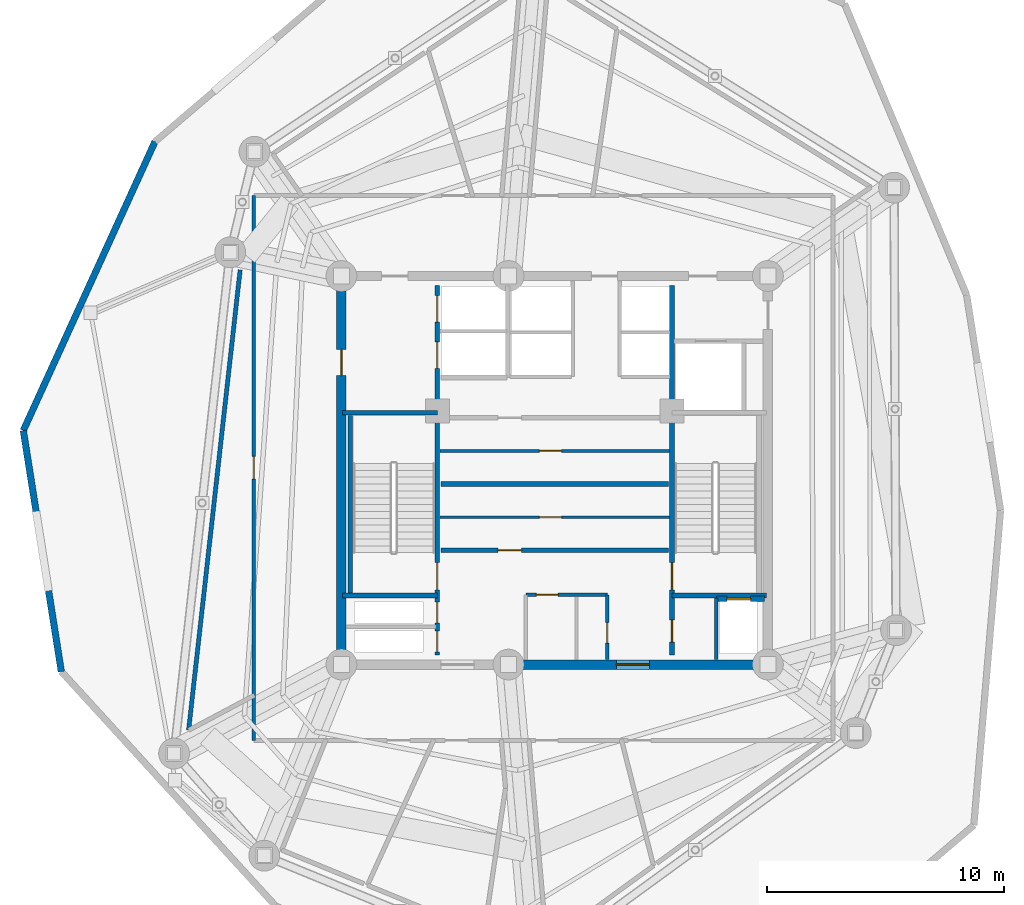
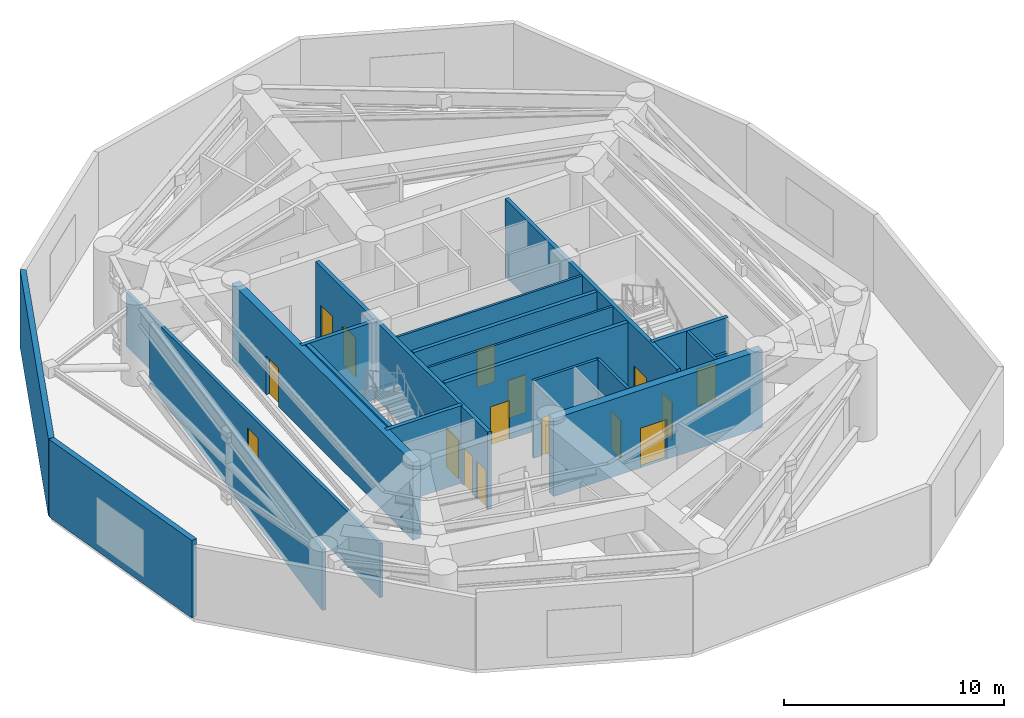
# One storey, part 6 of 11: 20 walls, 16 doors, 16 openings.
"""IFC4 building model written with IfcOpenShell, lengths in metres."""

from ifc_helpers import new_model, si_unit, direction, frame, frame_2d, origin, origin_with_axes, place, context, subcontext, project, spatial, rectangle, extrude, source, transform, mapped, material, layer, layer_set, type_object, element, fill, save


model = new_model("IFC4")

# Units and contexts
model_context = context("Model", 3, precision=1e-05, world=origin(), true_north=direction((0.0, 1.0)))
body_context = subcontext(model_context, "Body", "Model", "MODEL_VIEW")
ifc_project = project(units=[si_unit("LENGTHUNIT", "METRE"), si_unit("AREAUNIT", "SQUARE_METRE"), si_unit("VOLUMEUNIT", "CUBIC_METRE"), si_unit("PLANEANGLEUNIT", "RADIAN"), si_unit("MASSUNIT", "GRAM", prefix="KILO")], contexts=[model_context])

# Site, building, storey
site_placement = place(None, origin())
site = spatial("IfcSite", under=ifc_project, at=site_placement, CompositionType="ELEMENT")
building_placement = place(site_placement, origin())
building = spatial("IfcBuilding", under=site, at=building_placement, Name="Karkom Vertical University and Central Library", CompositionType="ELEMENT")
storey_placement = place(building_placement, frame((0.0, 0.0, 208.39990234375)))
storey = spatial("IfcBuildingStorey", under=building, at=storey_placement, Name="P61", CompositionType="ELEMENT", Elevation=208.39990234375)

# Walls
ifc_material_1 = material(Name="Brick-faced precast concrete C45/55", Category="masonry")
ifc_layer_1 = layer(ifc_material_1, 0.280029296875)
ifc_layer_set_1 = layer_set([ifc_layer_1], Name="Brick-faced precast concrete C45/55")
wall_type_1 = type_object("IfcWallType", Name="ENV-WL-BRK-280", PredefinedType="SOLIDWALL", material=ifc_layer_set_1)
wall_1_placement = place(storey_placement, frame((6.0712890625, 28.180419921875, 0.0), z_axis=(0.0, 0.0, 1.0), x_axis=(0.1557569856, -0.987795404645, 0.0)))
element("IfcWall", 1, at=wall_1_placement, inside=storey, type_object=wall_type_1, Name="Plant Level 61 Brick-Faced Precast Facade Wall 01", PredefinedType="SOLIDWALL", context=body_context, shape_type="SweptSolid", body=[
    extrude(rectangle(XDim=10.305908203125, YDim=0.280029296875, at=frame_2d((5.15283203125, 0.0))), origin(), (0.0, 0.0, 1.0), 4.300048828125),
])
wall_2_placement = place(storey_placement, frame((11.632080078125, 40.37890625, 0.0), z_axis=(0.0, 0.0, 1.0), x_axis=(-0.41479333112, -0.909915651288, 0.0)))
element("IfcWall", 2, at=wall_2_placement, inside=storey, type_object=wall_type_1, Name="Plant Level 61 Brick-Faced Precast Facade Wall 12", PredefinedType="SOLIDWALL", context=body_context, shape_type="SweptSolid", body=[
    extrude(rectangle(XDim=13.40625, YDim=0.280029296875, at=frame_2d((6.703125, 0.0))), origin(), (0.0, 0.0, 1.0), 4.300048828125),
])

# Wall, opening, door
ifc_material_2 = material(Name="Insulated metal-stud drywall 160mm", Category="gypsum")
ifc_layer_2 = layer(ifc_material_2, 0.159912109375)
ifc_layer_set_2 = layer_set([ifc_layer_2], Name="Insulated metal-stud drywall 160mm")
wall_type_2 = type_object("IfcWallType", Name="INT-WL-COR-160F", PredefinedType="PARTITIONING", material=ifc_layer_set_2)
wall_3_placement = place(storey_placement, frame((15.800048828125, 15.10009765625, 0.0), z_axis=(0.0, 0.0, 1.0), x_axis=(0.0, 1.0, 0.0)))
wall_3 = element("IfcWall", 3, at=wall_3_placement, inside=storey, type_object=wall_type_2, Name="Plant Level 61 Interior Partition Wall P61-PCORW-CW-002", PredefinedType="PARTITIONING", context=body_context, shape_type="SweptSolid", body=[
    extrude(rectangle(XDim=23.0, YDim=0.159912109375, at=frame_2d((11.5, 0.0))), origin(), (0.0, 0.0, 1.0), 3.0),
])
opening_1_placement = place(wall_3_placement, frame((11.02490234375, 0.0, 0.0)))
opening_1 = element("IfcOpeningElement", 4, at=opening_1_placement, cuts=wall_3, Name="Opening FD-RM1", PredefinedType="OPENING", context=body_context, shape_type="SweptSolid", body=[
    extrude(rectangle(XDim=0.9599609375, YDim=2.14990234375, at=frame_2d((0.47998046875, 1.074951171875))), frame((0.0, 0.08984375, 0.0), z_axis=(0.0, -1.0, 0.0), x_axis=(1.0, 0.0, 0.0)), (0.0, 0.0, 1.0), 0.179931640625),
])
ifc_material_3 = material(Name="Fire-rated oak veneer door", Category="wood")
door_type_1 = type_object("IfcDoorType", Name="INT-DR-FRM1", OperationType="NOTDEFINED", PredefinedType="DOOR", material=ifc_material_3)
shared_shape_1 = source(origin_with_axes(), body_context, "Body", "SweptSolid", [
    extrude(rectangle(XDim=0.9599609375, YDim=2.14990234375, at=frame_2d((0.47998046875, 1.074951171875))), frame((0.0, 0.02490234375, 0.0), z_axis=(0.0, -1.0, 0.0), x_axis=(1.0, 0.0, 0.0)), (0.0, 0.0, 1.0), 0.050048828125),
])
door_1_placement = place(opening_1_placement, origin())
door_1 = element("IfcDoor", 5, at=door_1_placement, inside=storey, type_object=door_type_1, Name="Plant Level 61 Room Entry Door 700", OperationType="SINGLE_SWING_LEFT", OverallHeight=2.14990234375, OverallWidth=0.9599609375, PredefinedType="DOOR", context=body_context, shape_type="MappedRepresentation", body=[
    mapped(shared_shape_1, transform((0.0, 0.0, 0.0), scale=1.0)),
])
fill(opening_1, door_1)

ifc_material_4 = material(Name="Moisture-resistant drywall 120mm", Category="gypsum")
ifc_layer_3 = layer(ifc_material_4, 0.1201171875)
ifc_layer_set_3 = layer_set([ifc_layer_3], Name="Moisture-resistant drywall 120mm")
wall_type_3 = type_object("IfcWallType", Name="INT-WL-INT-120F", PredefinedType="PARTITIONING", material=ifc_layer_set_3)
wall_4_placement = place(storey_placement, frame((23.652099609375, 24.52001953125, 0.0), z_axis=(0.0, 0.0, 1.0), x_axis=(1.0, 0.0, 0.0)))
wall_4 = element("IfcWall", 6, at=wall_4_placement, inside=storey, type_object=wall_type_3, Name="Plant Level 61 Interior Partition Wall P61-CW-B1-K3H", PredefinedType="PARTITIONING", context=body_context, shape_type="SweptSolid", body=[
    extrude(rectangle(XDim=9.697509765625, YDim=0.1201171875, at=frame_2d((4.8486328125, 0.0))), origin(), (0.0, 0.0, 1.0), 4.300048828125),
])
opening_2_placement = place(wall_4_placement, frame((4.199951171875, 0.0, 0.0)))
opening_2 = element("IfcOpeningElement", 7, at=opening_2_placement, cuts=wall_4, Name="Opening D-WC1", PredefinedType="OPENING", context=body_context, shape_type="SweptSolid", body=[
    extrude(rectangle(XDim=0.93994140625, YDim=2.10009765625, at=frame_2d((0.469970703125, 1.050048828125))), frame((0.0, 0.070068359375, 0.0), z_axis=(0.0, -1.0, 0.0), x_axis=(1.0, 0.0, 0.0)), (0.0, 0.0, 1.0), 0.14013671875),
])
ifc_material_5 = material(Name="Fire-rated laminate moisture-resistant door", Category="wood")
door_type_2 = type_object("IfcDoorType", Name="INT-DR-WC1", OperationType="NOTDEFINED", PredefinedType="DOOR", material=ifc_material_5)
shared_shape_2 = source(origin_with_axes(), body_context, "Body", "SweptSolid", [
    extrude(rectangle(XDim=0.93994140625, YDim=2.10009765625, at=frame_2d((0.469970703125, 1.050048828125))), frame((0.0, 0.02490234375, 0.0), z_axis=(0.0, -1.0, 0.0), x_axis=(1.0, 0.0, 0.0)), (0.0, 0.0, 1.0), 0.050048828125),
])
door_2_placement = place(opening_2_placement, origin())
door_2 = element("IfcDoor", 8, at=door_2_placement, inside=storey, type_object=door_type_2, Name="Plant Level 61 B1 Core WC Strip Door", OperationType="SINGLE_SWING_LEFT", OverallHeight=2.10009765625, OverallWidth=0.93994140625, PredefinedType="DOOR", context=body_context, shape_type="MappedRepresentation", body=[
    mapped(shared_shape_2, transform((0.0, 0.0, 0.0), scale=1.0)),
])
fill(opening_2, door_2)

wall_5_placement = place(storey_placement, frame((23.652099609375, 27.320068359375, 0.0), z_axis=(0.0, 0.0, 1.0), x_axis=(1.0, 0.0, 0.0)))
wall_5 = element("IfcWall", 9, at=wall_5_placement, inside=storey, type_object=wall_type_3, Name="Plant Level 61 Interior Partition Wall P61-CW-B2-K3H", PredefinedType="PARTITIONING", context=body_context, shape_type="SweptSolid", body=[
    extrude(rectangle(XDim=9.697509765625, YDim=0.1201171875, at=frame_2d((4.8486328125, 0.0))), origin(), (0.0, 0.0, 1.0), 4.300048828125),
])
opening_3_placement = place(wall_5_placement, frame((4.199951171875, 0.0, 0.0)))
opening_3 = element("IfcOpeningElement", 10, at=opening_3_placement, cuts=wall_5, Name="Opening D-WC1", PredefinedType="OPENING", context=body_context, shape_type="SweptSolid", body=[
    extrude(rectangle(XDim=0.93994140625, YDim=2.10009765625, at=frame_2d((0.469970703125, 1.050048828125))), frame((0.0, 0.070068359375, 0.0), z_axis=(0.0, -1.0, 0.0), x_axis=(1.0, 0.0, 0.0)), (0.0, 0.0, 1.0), 0.14013671875),
])
door_3_placement = place(opening_3_placement, origin())
door_3 = element("IfcDoor", 11, at=door_3_placement, inside=storey, type_object=door_type_2, Name="Plant Level 61 B2 Core WC Strip Door", OperationType="SINGLE_SWING_LEFT", OverallHeight=2.10009765625, OverallWidth=0.93994140625, PredefinedType="DOOR", context=body_context, shape_type="MappedRepresentation", body=[
    mapped(shared_shape_2, transform((0.0, 0.0, 0.0), scale=1.0)),
])
fill(opening_3, door_3)

ifc_material_6 = material(Name="Metal-stud gypsum partition 140mm", Category="gypsum")
ifc_layer_4 = layer(ifc_material_6, 0.139892578125)
ifc_layer_set_4 = layer_set([ifc_layer_4], Name="Metal-stud gypsum partition 140mm")
wall_type_4 = type_object("IfcWallType", Name="INT-WL-SUB-140", PredefinedType="PARTITIONING", material=ifc_layer_set_4)
wall_6_placement = place(storey_placement, frame((27.280029296875, 21.239990234375, 0.0), z_axis=(0.0, 0.0, 1.0), x_axis=(1.0, 0.0, 0.0)))
wall_6 = element("IfcWall", 12, at=wall_6_placement, inside=storey, type_object=wall_type_4, Name="Plant Level 61 Interior Partition Wall P61-CW-KBAY-N", PredefinedType="PARTITIONING", context=body_context, shape_type="SweptSolid", body=[
    extrude(rectangle(XDim=3.43994140625, YDim=0.139892578125, at=frame_2d((1.719970703125, 0.0))), origin(), (0.0, 0.0, 1.0), 4.300048828125),
])
opening_4_placement = place(wall_6_placement, frame((0.449951171875, 0.0, 0.0)))
opening_4 = element("IfcOpeningElement", 13, at=opening_4_placement, cuts=wall_6, Name="Opening D-SVC1", PredefinedType="OPENING", context=body_context, shape_type="SweptSolid", body=[
    extrude(rectangle(XDim=0.919921875, YDim=2.10009765625, at=frame_2d((0.4599609375, 1.050048828125))), frame((0.0, 0.080078125, 0.0), z_axis=(0.0, -1.0, 0.0), x_axis=(1.0, 0.0, 0.0)), (0.0, 0.0, 1.0), 0.159912109375),
])
ifc_material_7 = material(Name="Painted timber service door", Category="wood")
door_type_3 = type_object("IfcDoorType", Name="INT-DR-SVC1", OperationType="NOTDEFINED", PredefinedType="DOOR", material=ifc_material_7)
shared_shape_3 = source(origin_with_axes(), body_context, "Body", "SweptSolid", [
    extrude(rectangle(XDim=0.919921875, YDim=2.10009765625, at=frame_2d((0.4599609375, 1.050048828125))), frame((0.0, 0.02490234375, 0.0), z_axis=(0.0, -1.0, 0.0), x_axis=(1.0, 0.0, 0.0)), (0.0, 0.0, 1.0), 0.050048828125),
])
door_4_placement = place(opening_4_placement, origin())
door_4 = element("IfcDoor", 14, at=door_4_placement, inside=storey, type_object=door_type_3, Name="Plant Level 61 Copy Room Door", OperationType="SINGLE_SWING_RIGHT", OverallHeight=2.10009765625, OverallWidth=0.919921875, PredefinedType="DOOR", context=body_context, shape_type="MappedRepresentation", body=[
    mapped(shared_shape_3, transform((0.0, 0.0, 0.0), scale=1.0)),
])
fill(opening_4, door_4)

wall_7_placement = place(storey_placement, frame((30.719970703125, 18.507080078125, 0.0), z_axis=(0.0, 0.0, 1.0), x_axis=(0.0, 1.0, 0.0)))
wall_7 = element("IfcWall", 15, at=wall_7_placement, inside=storey, type_object=wall_type_4, Name="Plant Level 61 Interior Partition Wall P61-CW-KBAY-E", PredefinedType="PARTITIONING", context=body_context, shape_type="SweptSolid", body=[
    extrude(rectangle(XDim=2.73291015625, YDim=0.139892578125, at=frame_2d((1.366455078125, 0.0))), origin(), (0.0, 0.0, 1.0), 4.300048828125),
])
opening_5_placement = place(wall_7_placement, frame((0.699951171875, 0.0, 0.0)))
opening_5 = element("IfcOpeningElement", 16, at=opening_5_placement, cuts=wall_7, Name="Opening D-BATH", PredefinedType="OPENING", context=body_context, shape_type="SweptSolid", body=[
    extrude(rectangle(XDim=0.860107421875, YDim=2.10009765625, at=frame_2d((0.43017578125, 1.050048828125))), frame((0.0, 0.080078125, 0.0), z_axis=(0.0, -1.0, 0.0), x_axis=(1.0, 0.0, 0.0)), (0.0, 0.0, 1.0), 0.159912109375),
])
ifc_material_8 = material(Name="Moisture-resistant oak door", Category="wood")
door_type_4 = type_object("IfcDoorType", Name="INT-DR-BATH", OperationType="NOTDEFINED", PredefinedType="DOOR", material=ifc_material_8)
shared_shape_4 = source(origin_with_axes(), body_context, "Body", "SweptSolid", [
    extrude(rectangle(XDim=0.860107421875, YDim=2.10009765625, at=frame_2d((0.43017578125, 1.050048828125))), frame((0.0, 0.02490234375, 0.0), z_axis=(0.0, -1.0, 0.0), x_axis=(1.0, 0.0, 0.0)), (0.0, 0.0, 1.0), 0.050048828125),
])
door_5_placement = place(opening_5_placement, origin())
door_5 = element("IfcDoor", 17, at=door_5_placement, inside=storey, type_object=door_type_4, Name="Plant Level 61 Janitor Door", OperationType="SINGLE_SWING_LEFT", OverallHeight=2.10009765625, OverallWidth=0.860107421875, PredefinedType="DOOR", context=body_context, shape_type="MappedRepresentation", body=[
    mapped(shared_shape_4, transform((0.0, 0.0, 0.0), scale=1.0)),
])
fill(opening_5, door_5)

# Walls
ifc_layer_5 = layer(ifc_material_6, 0.139892578125)
ifc_layer_set_5 = layer_set([ifc_layer_5], Name="Metal-stud gypsum partition 140mm")
wall_type_5 = type_object("IfcWallType", Name="INT-WL-SUB-140H", PredefinedType="PARTITIONING", material=ifc_layer_set_5)
wall_8_placement = place(storey_placement, frame((35.320068359375, 18.507080078125, 0.0), z_axis=(0.0, 0.0, 1.0), x_axis=(0.0, 1.0, 0.0)))
element("IfcWall", 18, at=wall_8_placement, inside=storey, type_object=wall_type_5, Name="Plant Level 61 Interior Partition Wall P61-CW-RIS-E", PredefinedType="PARTITIONING", context=body_context, shape_type="SweptSolid", body=[
    extrude(rectangle(XDim=2.591796875, YDim=0.139892578125, at=frame_2d((1.2958984375, 0.0))), origin(), (0.0, 0.0, 1.0), 4.300048828125),
])
ifc_material_9 = material(Name="Twin-stud acoustic drywall 180mm", Category="gypsum")
ifc_layer_6 = layer(ifc_material_9, 0.179931640625)
ifc_layer_set_6 = layer_set([ifc_layer_6], Name="Twin-stud acoustic drywall 180mm")
wall_type_6 = type_object("IfcWallType", Name="INT-WL-TEN-180F", PredefinedType="PARTITIONING", material=ifc_layer_set_6)
wall_9_placement = place(storey_placement, frame((13.04931640625, 15.52685546875, 0.0), z_axis=(0.0, 0.0, 1.0), x_axis=(0.111290758252, 0.993787888399, 0.0)))
element("IfcWall", 19, at=wall_9_placement, inside=storey, type_object=wall_type_6, Name="Plant Level 61 Interior Partition Wall P61-PLCHW-002", PredefinedType="PARTITIONING", context=body_context, shape_type="SweptSolid", body=[
    extrude(rectangle(XDim=19.552734375, YDim=0.179931640625, at=frame_2d((9.7763671875, 0.0))), origin(), (0.0, 0.0, 1.0), 3.400146484375),
])

# Wall, opening, door
ifc_material_10 = material(Name="Concrete C45/55", Category="concrete")
ifc_layer_7 = layer(ifc_material_10, 0.219970703125)
ifc_layer_set_7 = layer_set([ifc_layer_7], Name="Concrete C45/55")
wall_type_7 = type_object("IfcWallType", Name="STR-WL-CW-220", PredefinedType="SHEAR", material=ifc_layer_set_7)
wall_10_placement = place(storey_placement, frame((35.320068359375, 21.080078125, 0.0), z_axis=(0.0, 0.0, 1.0), x_axis=(1.0, 0.0, 0.0)))
wall_10 = element("IfcWall", 20, at=wall_10_placement, inside=storey, type_object=wall_type_7, Name="Plant Level 61 Duct Riser Access Wall 3", PredefinedType="SHEAR", context=body_context, shape_type="SweptSolid", body=[
    extrude(rectangle(XDim=2.030029296875, YDim=0.219970703125, at=frame_2d((1.01513671875, 0.0))), origin(), (0.0, 0.0, 1.0), 2.4501953125),
])
opening_6_placement = place(wall_10_placement, frame((0.449951171875, 0.0, 0.0)))
opening_6 = element("IfcOpeningElement", 21, at=opening_6_placement, cuts=wall_10, Name="Opening HD-1", PredefinedType="OPENING", context=body_context, shape_type="SweptSolid", body=[
    extrude(rectangle(XDim=1.0, YDim=2.050048828125, at=frame_2d((0.5, 1.02490234375))), frame((0.0, 0.1201171875, 0.0), z_axis=(0.0, -1.0, 0.0), x_axis=(1.0, 0.0, 0.0)), (0.0, 0.0, 1.0), 0.239990234375),
])
ifc_material_11 = material(Name="Insulated aluminium riser access door", Category="aluminium")
door_type_5 = type_object("IfcDoorType", Name="ENV-DR-HTCH", OperationType="SINGLE_SWING_LEFT", PredefinedType="TRAPDOOR", material=ifc_material_11)
shared_shape_5 = source(origin_with_axes(), body_context, "Body", "SweptSolid", [
    extrude(rectangle(XDim=1.0, YDim=2.050048828125, at=frame_2d((0.5, 1.02490234375))), frame((0.0, 0.02490234375, 0.0), z_axis=(0.0, -1.0, 0.0), x_axis=(1.0, 0.0, 0.0)), (0.0, 0.0, 1.0), 0.050048828125),
])
door_6_placement = place(opening_6_placement, origin())
door_6 = element("IfcDoor", 22, at=door_6_placement, inside=storey, type_object=door_type_5, Name="Plant Level 61 Maintenance Riser Access Hatch Door 3", OperationType="SINGLE_SWING_LEFT", OverallHeight=2.050048828125, OverallWidth=1.0, PredefinedType="TRAPDOOR", context=body_context, shape_type="MappedRepresentation", body=[
    mapped(shared_shape_5, transform((0.0, 0.0, 0.0), scale=1.0)),
])
fill(opening_6, door_6)

ifc_material_12 = material(Name="Concrete C50/60", Category="concrete")
ifc_layer_8 = layer(ifc_material_12, 0.39990234375)
ifc_layer_set_8 = layer_set([ifc_layer_8], Name="Concrete C50/60")
wall_type_8 = type_object("IfcWallType", Name="STR-WL-CW-400", PredefinedType="SHEAR", material=ifc_layer_set_8)
wall_11_placement = place(storey_placement, frame((26.550048828125, 18.300048828125, 0.0), z_axis=(0.0, 0.0, 1.0), x_axis=(1.0, 0.0, 0.0)))
wall_11 = element("IfcWall", 23, at=wall_11_placement, inside=storey, type_object=wall_type_8, Name="Plant Level 61 Central Core Shear Wall SW2", PredefinedType="SHEAR", context=body_context, shape_type="SweptSolid", body=[
    extrude(rectangle(XDim=10.949951171875, YDim=0.39990234375, at=frame_2d((5.47509765625, 0.0))), origin(), (0.0, 0.0, 1.0), 4.300048828125),
])
opening_7_placement = place(wall_11_placement, frame((4.550048828125, 0.0, 0.0)))
opening_7 = element("IfcOpeningElement", 24, at=opening_7_placement, cuts=wall_11, Name="Opening FD-CLB", PredefinedType="OPENING", context=body_context, shape_type="SweptSolid", body=[
    extrude(rectangle(XDim=1.39990234375, YDim=2.199951171875, at=frame_2d((0.699951171875, 1.10009765625))), frame((0.0, 0.2099609375, 0.0), z_axis=(0.0, -1.0, 0.0), x_axis=(1.0, 0.0, 0.0)), (0.0, 0.0, 1.0), 0.419921875),
])
ifc_material_13 = material(Name="Painted steel fire door", Category="steel")
door_type_6 = type_object("IfcDoorType", Name="INT-DR-CLB", OperationType="DOUBLE_DOOR_SINGLE_SWING", PredefinedType="DOOR", material=ifc_material_13)
shared_shape_6 = source(origin_with_axes(), body_context, "Body", "SweptSolid", [
    extrude(rectangle(XDim=1.39990234375, YDim=2.199951171875, at=frame_2d((0.699951171875, 1.10009765625))), frame((0.0, 0.02490234375, 0.0), z_axis=(0.0, -1.0, 0.0), x_axis=(1.0, 0.0, 0.0)), (0.0, 0.0, 1.0), 0.050048828125),
])
door_7_placement = place(opening_7_placement, origin())
door_7 = element("IfcDoor", 25, at=door_7_placement, inside=storey, type_object=door_type_6, Name="Plant Level 61 South Core Lobby East Exit Door", OperationType="DOUBLE_DOOR_SINGLE_SWING", OverallHeight=2.199951171875, OverallWidth=1.39990234375, PredefinedType="DOOR", context=body_context, shape_type="MappedRepresentation", body=[
    mapped(shared_shape_6, transform((0.0, 0.0, 0.0), scale=1.0)),
])
fill(opening_7, door_7)

wall_12_placement = place(storey_placement, frame((19.5, 34.699951171875, 0.0), z_axis=(0.0, 0.0, 1.0), x_axis=(0.0, -1.0, 0.0)))
wall_12 = element("IfcWall", 26, at=wall_12_placement, inside=storey, type_object=wall_type_8, Name="Plant Level 61 Central Core Shear Wall WW", PredefinedType="SHEAR", context=body_context, shape_type="SweptSolid", body=[
    extrude(rectangle(XDim=16.39990234375, YDim=0.39990234375, at=frame_2d((8.199951171875, 0.0))), origin(), (0.0, 0.0, 1.0), 4.300048828125),
])
opening_8_placement = place(wall_12_placement, frame((3.10009765625, 0.0, 0.0)))
opening_8 = element("IfcOpeningElement", 27, at=opening_8_placement, cuts=wall_12, Name="Opening FD-FFL", PredefinedType="OPENING", context=body_context, shape_type="SweptSolid", body=[
    extrude(rectangle(XDim=1.10009765625, YDim=2.14990234375, at=frame_2d((0.550048828125, 1.074951171875))), frame((0.0, 0.2099609375, 0.0), z_axis=(0.0, -1.0, 0.0), x_axis=(1.0, 0.0, 0.0)), (0.0, 0.0, 1.0), 0.419921875),
])
ifc_material_14 = material(Name="Painted steel smoke-seal fire door", Category="steel")
door_type_7 = type_object("IfcDoorType", Name="INT-DR-FFL", OperationType="NOTDEFINED", PredefinedType="DOOR", material=ifc_material_14)
shared_shape_7 = source(origin_with_axes(), body_context, "Body", "SweptSolid", [
    extrude(rectangle(XDim=1.10009765625, YDim=2.14990234375, at=frame_2d((0.550048828125, 1.074951171875))), frame((0.0, 0.02490234375, 0.0), z_axis=(0.0, -1.0, 0.0), x_axis=(1.0, 0.0, 0.0)), (0.0, 0.0, 1.0), 0.050048828125),
])
door_8_placement = place(opening_8_placement, origin())
door_8 = element("IfcDoor", 28, at=door_8_placement, inside=storey, type_object=door_type_7, Name="Plant Level 61 West Corridor Firefighting Lobby Door", OperationType="SINGLE_SWING_RIGHT", OverallHeight=2.14990234375, OverallWidth=1.10009765625, PredefinedType="DOOR", context=body_context, shape_type="MappedRepresentation", body=[
    mapped(shared_shape_7, transform((0.0, 0.0, 0.0), scale=1.0)),
])
fill(opening_8, door_8)

# Wall, openings, doors
ifc_layer_9 = layer(ifc_material_10, 0.199951171875)
ifc_layer_set_9 = layer_set([ifc_layer_9], Name="Concrete C45/55")
wall_type_9 = type_object("IfcWallType", Name="STR-WL-ST-200", PredefinedType="SHEAR", material=ifc_layer_set_9)
wall_13_placement = place(storey_placement, frame((23.544921875, 18.699951171875, 0.0), z_axis=(0.0, 0.0, 1.0), x_axis=(0.0, 1.0, 0.0)))
wall_13 = element("IfcWall", 29, at=wall_13_placement, inside=storey, type_object=wall_type_9, Name="Plant Level 61 Core Shaft Wall P61-CW-ST1-E", PredefinedType="SHEAR", context=body_context, shape_type="SweptSolid", body=[
    extrude(rectangle(XDim=15.60009765625, YDim=0.199951171875, at=frame_2d((7.800048828125, 0.0))), origin(), (0.0, 0.0, 1.0), 4.300048828125),
])
opening_9_placement = place(wall_13_placement, frame((2.75, 0.0, 0.0)))
opening_9 = element("IfcOpeningElement", 30, at=opening_9_placement, cuts=wall_13, Name="Opening FD-ST1", PredefinedType="OPENING", context=body_context, shape_type="SweptSolid", body=[
    extrude(rectangle(XDim=1.14990234375, YDim=2.14990234375, at=frame_2d((0.574951171875, 1.074951171875))), frame((0.0, 0.10986328125, 0.0), z_axis=(0.0, -1.0, 0.0), x_axis=(1.0, 0.0, 0.0)), (0.0, 0.0, 1.0), 0.219970703125),
])
opening_10_placement = place(wall_13_placement, frame((0.139892578125, 0.0, 0.0)))
opening_10 = element("IfcOpeningElement", 31, at=opening_10_placement, cuts=wall_13, Name="Opening FD-RIS", PredefinedType="OPENING", context=body_context, shape_type="SweptSolid", body=[
    extrude(rectangle(XDim=0.8798828125, YDim=2.10009765625, at=frame_2d((0.43994140625, 1.050048828125))), frame((0.0, 0.10986328125, 0.0), z_axis=(0.0, -1.0, 0.0), x_axis=(1.0, 0.0, 0.0)), (0.0, 0.0, 1.0), 0.219970703125),
])
opening_11_placement = place(wall_13_placement, frame((1.360107421875, 0.0, 0.0)))
opening_11 = element("IfcOpeningElement", 32, at=opening_11_placement, cuts=wall_13, Name="Opening FD-RIS", PredefinedType="OPENING", context=body_context, shape_type="SweptSolid", body=[
    extrude(rectangle(XDim=0.8798828125, YDim=2.10009765625, at=frame_2d((0.43994140625, 1.050048828125))), frame((0.0, 0.10986328125, 0.0), z_axis=(0.0, -1.0, 0.0), x_axis=(1.0, 0.0, 0.0)), (0.0, 0.0, 1.0), 0.219970703125),
])
opening_12_placement = place(wall_13_placement, frame((12.10009765625, 0.0, 0.0)))
opening_12 = element("IfcOpeningElement", 33, at=opening_12_placement, cuts=wall_13, Name="Opening LD-FFL", PredefinedType="OPENING", context=body_context, shape_type="SweptSolid", body=[
    extrude(rectangle(XDim=1.1201171875, YDim=2.14990234375, at=frame_2d((0.56005859375, 1.074951171875))), frame((0.0, 0.10986328125, 0.0), z_axis=(0.0, -1.0, 0.0), x_axis=(1.0, 0.0, 0.0)), (0.0, 0.0, 1.0), 0.219970703125),
])
opening_13_placement = place(wall_13_placement, frame((14.050048828125, 0.0, 0.0)))
opening_13 = element("IfcOpeningElement", 34, at=opening_13_placement, cuts=wall_13, Name="Opening LD-FFL", PredefinedType="OPENING", context=body_context, shape_type="SweptSolid", body=[
    extrude(rectangle(XDim=1.1201171875, YDim=2.14990234375, at=frame_2d((0.56005859375, 1.074951171875))), frame((0.0, 0.10986328125, 0.0), z_axis=(0.0, -1.0, 0.0), x_axis=(1.0, 0.0, 0.0)), (0.0, 0.0, 1.0), 0.219970703125),
])
ifc_material_15 = material(Name="Painted steel acoustic fire door", Category="steel")
door_type_8 = type_object("IfcDoorType", Name="INT-DR-ST1", OperationType="NOTDEFINED", PredefinedType="DOOR", material=ifc_material_15)
shared_shape_8 = source(origin_with_axes(), body_context, "Body", "SweptSolid", [
    extrude(rectangle(XDim=1.14990234375, YDim=2.14990234375, at=frame_2d((0.574951171875, 1.074951171875))), frame((0.0, 0.02490234375, 0.0), z_axis=(0.0, -1.0, 0.0), x_axis=(1.0, 0.0, 0.0)), (0.0, 0.0, 1.0), 0.050048828125),
])
door_9_placement = place(opening_9_placement, origin())
door_9 = element("IfcDoor", 35, at=door_9_placement, inside=storey, type_object=door_type_8, Name="Plant Level 61 Stair ST-1 Fire Door", OperationType="SINGLE_SWING_LEFT", OverallHeight=2.14990234375, OverallWidth=1.14990234375, PredefinedType="DOOR", context=body_context, shape_type="MappedRepresentation", body=[
    mapped(shared_shape_8, transform((0.0, 0.0, 0.0), scale=1.0)),
])
fill(opening_9, door_9)
ifc_material_16 = material(Name="Painted steel riser access door", Category="steel")
door_type_9 = type_object("IfcDoorType", Name="INT-DR-RIS", OperationType="NOTDEFINED", PredefinedType="DOOR", material=ifc_material_16)
shared_shape_9 = source(origin_with_axes(), body_context, "Body", "SweptSolid", [
    extrude(rectangle(XDim=0.8798828125, YDim=2.10009765625, at=frame_2d((0.43994140625, 1.050048828125))), frame((0.0, 0.02490234375, 0.0), z_axis=(0.0, -1.0, 0.0), x_axis=(1.0, 0.0, 0.0)), (0.0, 0.0, 1.0), 0.050048828125),
])
door_10_placement = place(opening_10_placement, origin())
door_10 = element("IfcDoor", 36, at=door_10_placement, inside=storey, type_object=door_type_9, Name="Plant Level 61 Electrical Riser Access Door", OperationType="SINGLE_SWING_LEFT", OverallHeight=2.10009765625, OverallWidth=0.8798828125, PredefinedType="DOOR", context=body_context, shape_type="MappedRepresentation", body=[
    mapped(shared_shape_9, transform((0.0, 0.0, 0.0), scale=1.0)),
])
fill(opening_10, door_10)
door_11_placement = place(opening_11_placement, origin())
door_11 = element("IfcDoor", 37, at=door_11_placement, inside=storey, type_object=door_type_9, Name="Plant Level 61 Telecom Riser Access Door", OperationType="SINGLE_SWING_RIGHT", OverallHeight=2.10009765625, OverallWidth=0.8798828125, PredefinedType="DOOR", context=body_context, shape_type="MappedRepresentation", body=[
    mapped(shared_shape_9, transform((0.0, 0.0, 0.0), scale=1.0)),
])
fill(opening_11, door_11)
ifc_material_17 = material(Name="Fire-rated stainless-steel landing door", Category="steel")
door_type_10 = type_object("IfcDoorType", Name="INT-DR-LD-FFL", OperationType="SLIDING_TO_LEFT", PredefinedType="DOOR", material=ifc_material_17)
shared_shape_10 = source(origin_with_axes(), body_context, "Body", "SweptSolid", [
    extrude(rectangle(XDim=1.1201171875, YDim=2.14990234375, at=frame_2d((0.56005859375, 1.074951171875))), frame((0.0, 0.02490234375, 0.0), z_axis=(0.0, -1.0, 0.0), x_axis=(1.0, 0.0, 0.0)), (0.0, 0.0, 1.0), 0.050048828125),
])
door_12_placement = place(opening_12_placement, origin())
door_12 = element("IfcDoor", 38, at=door_12_placement, inside=storey, type_object=door_type_10, Name="Plant Level 61 Firefighting Lift FFL-1 Landing Door", OperationType="SLIDING_TO_LEFT", OverallHeight=2.14990234375, OverallWidth=1.1201171875, PredefinedType="DOOR", context=body_context, shape_type="MappedRepresentation", body=[
    mapped(shared_shape_10, transform((0.0, 0.0, 0.0), scale=1.0)),
])
fill(opening_12, door_12)
door_13_placement = place(opening_13_placement, origin())
door_13 = element("IfcDoor", 39, at=door_13_placement, inside=storey, type_object=door_type_10, Name="Plant Level 61 Firefighting Lift FFL-2 Landing Door", OperationType="SLIDING_TO_RIGHT", OverallHeight=2.14990234375, OverallWidth=1.1201171875, PredefinedType="DOOR", context=body_context, shape_type="MappedRepresentation", body=[
    mapped(shared_shape_10, transform((0.0, 0.0, 0.0), scale=1.0)),
])
fill(opening_13, door_13)

wall_14_placement = place(storey_placement, frame((33.455078125, 18.699951171875, 0.0), z_axis=(0.0, 0.0, 1.0), x_axis=(0.0, 1.0, 0.0)))
wall_14 = element("IfcWall", 40, at=wall_14_placement, inside=storey, type_object=wall_type_9, Name="Plant Level 61 Core Shaft Wall P61-CW-ST2-W", PredefinedType="SHEAR", context=body_context, shape_type="SweptSolid", body=[
    extrude(rectangle(XDim=15.60009765625, YDim=0.199951171875, at=frame_2d((7.800048828125, 0.0))), origin(), (0.0, 0.0, 1.0), 4.300048828125),
])
opening_14_placement = place(wall_14_placement, frame((2.75, 0.0, 0.0)))
opening_14 = element("IfcOpeningElement", 41, at=opening_14_placement, cuts=wall_14, Name="Opening FD-ST1", PredefinedType="OPENING", context=body_context, shape_type="SweptSolid", body=[
    extrude(rectangle(XDim=1.14990234375, YDim=2.14990234375, at=frame_2d((0.574951171875, 1.074951171875))), frame((0.0, 0.10986328125, 0.0), z_axis=(0.0, -1.0, 0.0), x_axis=(1.0, 0.0, 0.0)), (0.0, 0.0, 1.0), 0.219970703125),
])
opening_15_placement = place(wall_14_placement, frame((0.550048828125, 0.0, 0.0)))
opening_15 = element("IfcOpeningElement", 42, at=opening_15_placement, cuts=wall_14, Name="Opening D-WC1", PredefinedType="OPENING", context=body_context, shape_type="SweptSolid", body=[
    extrude(rectangle(XDim=0.93994140625, YDim=2.10009765625, at=frame_2d((0.469970703125, 1.050048828125))), frame((0.0, 0.10986328125, 0.0), z_axis=(0.0, -1.0, 0.0), x_axis=(1.0, 0.0, 0.0)), (0.0, 0.0, 1.0), 0.219970703125),
])
door_14_placement = place(opening_14_placement, origin())
door_14 = element("IfcDoor", 43, at=door_14_placement, inside=storey, type_object=door_type_8, Name="Plant Level 61 Stair ST-2 Fire Door", OperationType="SINGLE_SWING_RIGHT", OverallHeight=2.14990234375, OverallWidth=1.14990234375, PredefinedType="DOOR", context=body_context, shape_type="MappedRepresentation", body=[
    mapped(shared_shape_8, transform((0.0, 0.0, 0.0), scale=1.0)),
])
fill(opening_14, door_14)
door_15_placement = place(opening_15_placement, origin())
door_15 = element("IfcDoor", 44, at=door_15_placement, inside=storey, type_object=door_type_2, Name="Plant Level 61 Accessible WC Door", OperationType="SINGLE_SWING_LEFT", OverallHeight=2.10009765625, OverallWidth=0.93994140625, PredefinedType="DOOR", context=body_context, shape_type="MappedRepresentation", body=[
    mapped(shared_shape_2, transform((0.0, 0.0, 0.0), scale=1.0)),
])
fill(opening_15, door_15)

# Wall, opening, door
wall_15_placement = place(storey_placement, frame((23.699951171875, 23.1201171875, 0.0), z_axis=(0.0, 0.0, 1.0), x_axis=(1.0, 0.0, 0.0)))
wall_15 = element("IfcWall", 45, at=wall_15_placement, inside=storey, type_object=wall_type_9, Name="Plant Level 61 Core Shaft Wall P61-CW-B1-S", PredefinedType="SHEAR", context=body_context, shape_type="SweptSolid", body=[
    extrude(rectangle(XDim=9.60009765625, YDim=0.199951171875, at=frame_2d((4.800048828125, 0.0))), origin(), (0.0, 0.0, 1.0), 4.300048828125),
])
opening_16_placement = place(wall_15_placement, frame((2.39990234375, 0.0, 0.0)))
opening_16 = element("IfcOpeningElement", 46, at=opening_16_placement, cuts=wall_15, Name="Opening D-STR1", PredefinedType="OPENING", context=body_context, shape_type="SweptSolid", body=[
    extrude(rectangle(XDim=1.0, YDim=2.14990234375, at=frame_2d((0.5, 1.074951171875))), frame((0.0, 0.10986328125, 0.0), z_axis=(0.0, -1.0, 0.0), x_axis=(1.0, 0.0, 0.0)), (0.0, 0.0, 1.0), 0.219970703125),
])
ifc_material_18 = material(Name="Solid-core hardwood fire door", Category="wood")
door_type_11 = type_object("IfcDoorType", Name="INT-DR-STR1", OperationType="NOTDEFINED", PredefinedType="DOOR", material=ifc_material_18)
shared_shape_11 = source(origin_with_axes(), body_context, "Body", "SweptSolid", [
    extrude(rectangle(XDim=1.0, YDim=2.14990234375, at=frame_2d((0.5, 1.074951171875))), frame((0.0, 0.02490234375, 0.0), z_axis=(0.0, -1.0, 0.0), x_axis=(1.0, 0.0, 0.0)), (0.0, 0.0, 1.0), 0.050048828125),
])
door_16_placement = place(opening_16_placement, origin())
door_16 = element("IfcDoor", 47, at=door_16_placement, inside=storey, type_object=door_type_11, Name="Plant Level 61 B1 Archive Strip Door", OperationType="SINGLE_SWING_RIGHT", OverallHeight=2.14990234375, OverallWidth=1.0, PredefinedType="DOOR", context=body_context, shape_type="MappedRepresentation", body=[
    mapped(shared_shape_11, transform((0.0, 0.0, 0.0), scale=1.0)),
])
fill(opening_16, door_16)

# Walls
wall_16_placement = place(storey_placement, frame((23.699951171875, 25.919921875, 0.0), z_axis=(0.0, 0.0, 1.0), x_axis=(1.0, 0.0, 0.0)))
element("IfcWall", 48, at=wall_16_placement, inside=storey, type_object=wall_type_9, Name="Plant Level 61 Core Shaft Wall P61-CW-B1-N", PredefinedType="SHEAR", context=body_context, shape_type="SweptSolid", body=[
    extrude(rectangle(XDim=9.60009765625, YDim=0.199951171875, at=frame_2d((4.800048828125, 0.0))), origin(), (0.0, 0.0, 1.0), 4.300048828125),
])
wall_17_placement = place(storey_placement, frame((19.875, 21.320068359375, 0.0), z_axis=(0.0, 0.0, 1.0), x_axis=(0.0, 1.0, 0.0)))
element("IfcWall", 49, at=wall_17_placement, inside=storey, type_object=wall_type_9, Name="Plant Level 61 Core Shaft Wall P61-CW-ST1-W", PredefinedType="SHEAR", context=body_context, shape_type="SweptSolid", body=[
    extrude(rectangle(XDim=7.5, YDim=0.199951171875, at=frame_2d((3.75, 0.0))), origin(), (0.0, 0.0, 1.0), 4.300048828125),
])
for number, where, z_axis, x_axis, name in (
    (50, (33.455078125, 21.215087890625, 0.0), (0.0, 0.0, 1.0), (1.0, 0.0, 0.0), "Plant Level 61 Core Shaft Wall P61-CW-ST2-S"),
    (51, (19.550048828125, 21.215087890625, 0.0), (0.0, 0.0, 1.0), (1.0, 0.0, 0.0), "Plant Level 61 Core Shaft Wall P61-CW-ST1-S"),
    (52, (19.550048828125, 28.925048828125, 0.0), (0.0, 0.0, 1.0), (1.0, 0.0, 0.0), "Plant Level 61 Core Shaft Wall P61-CW-ST1-N"),
):
    element("IfcWall", number, at=place(storey_placement, frame(where, z_axis=z_axis, x_axis=x_axis)), inside=storey, type_object=wall_type_9, Name=name, PredefinedType="SHEAR", context=body_context, shape_type="SweptSolid", body=[
        extrude(rectangle(XDim=3.994873046875, YDim=0.199951171875, at=frame_2d((1.99755859375, 0.0))), origin(), (0.0, 0.0, 1.0), 4.300048828125),
    ])

save(model, "model.ifc")
